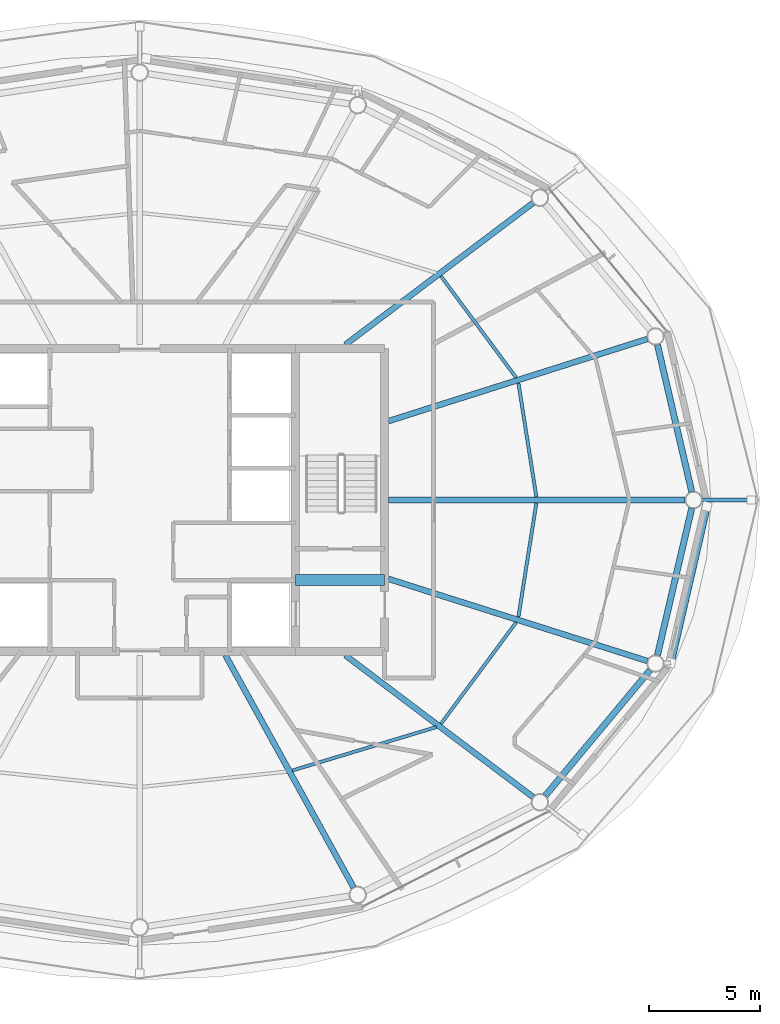
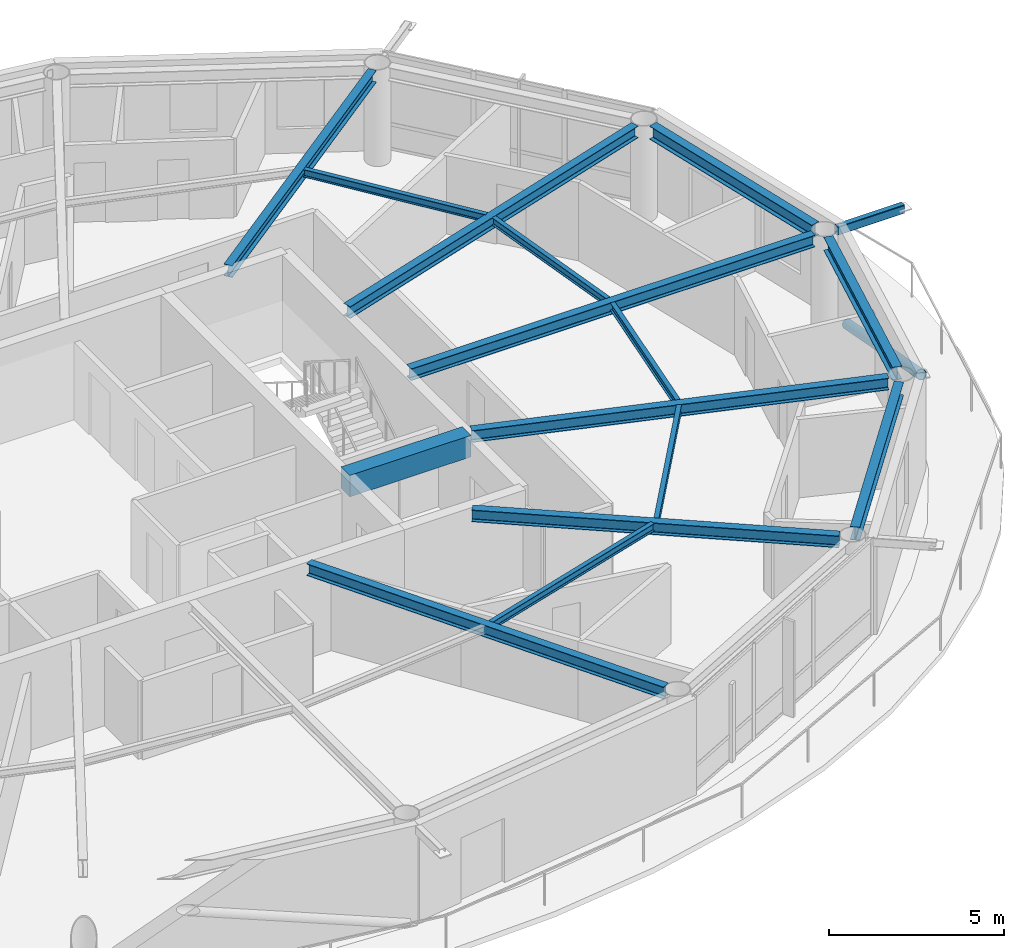
# One storey, part 6 of 22: 15 beams, 2 members.
"""IFC4 building model written with IfcOpenShell, lengths in metres."""

from ifc_helpers import new_model, si_unit, direction, frame, origin, origin_2d, place, context, subcontext, project, spatial, rectangle, hollow_rectangle, hollow_circle, i_section, extrude, material, material_profile, profile_set, type_object, element, save


model = new_model("IFC4")

# Units and contexts
model_context = context("Model", 3, precision=1e-05, world=origin(), true_north=direction((0.0, 1.0)))
body_context = subcontext(model_context, "Body", "Model", "MODEL_VIEW")
ifc_project = project(units=[si_unit("LENGTHUNIT", "METRE"), si_unit("AREAUNIT", "SQUARE_METRE"), si_unit("VOLUMEUNIT", "CUBIC_METRE"), si_unit("PLANEANGLEUNIT", "RADIAN"), si_unit("MASSUNIT", "GRAM", prefix="KILO")], contexts=[model_context])

# Site, building, storey
site_placement = place(None, origin())
site = spatial("IfcSite", under=ifc_project, at=site_placement, CompositionType="ELEMENT")
building_placement = place(site_placement, origin())
building = spatial("IfcBuilding", under=site, at=building_placement, Name="Sarneth Arch Tower", CompositionType="ELEMENT")
storey_placement = place(building_placement, frame((0.0, 0.0, 283.800048828125)))
storey = spatial("IfcBuildingStorey", under=building, at=storey_placement, Name="L73", CompositionType="ELEMENT", Elevation=283.800048828125)

# Beams
ifc_material_1 = material(Name="Steel S355", Category="steel")
ifc_material_profile_1 = material_profile(ifc_material_1, i_section(OverallWidth=0.14794921875, OverallDepth=0.26611328125, WebThickness=0.007568359375, FlangeThickness=0.012939453125, FilletRadius=0.012939453125, at=origin_2d()), Name="W250x44.8")
ifc_profile_set_1 = profile_set([ifc_material_profile_1], Name="Steel S355")
beam_type_1 = type_object("IfcBeamType", Name="BM-JOIST-250", PredefinedType="JOIST", material=ifc_profile_set_1)
beam_1_placement = place(storey_placement, frame((65.818359375, 42.12841796875, 3.237060546875), z_axis=(-0.155520890899, 0.987832603478, 0.0), x_axis=(-0.987832603478, -0.155520890899, 0.0)))
element("IfcBeam", 1, at=beam_1_placement, inside=storey, type_object=beam_type_1, Name="L73 Secondary floor joist 01", PredefinedType="JOIST", context=body_context, shape_type="SweptSolid", body=[
    extrude(i_section(OverallWidth=0.14794921875, OverallDepth=0.26611328125, WebThickness=0.007568359375, FlangeThickness=0.012939453125, FilletRadius=0.012939453125, at=origin_2d()), origin(), (0.0, 0.0, 1.0), 5.194580078125),
])
beam_2_placement = place(storey_placement, frame((64.912841796875, 47.49267578125, 3.237060546875), z_axis=(-0.595431044136, 0.803406417499, 0.0), x_axis=(-0.803406417499, -0.595431044136, 0.0)))
element("IfcBeam", 2, at=beam_2_placement, inside=storey, type_object=beam_type_1, Name="L73 Secondary floor joist 02", PredefinedType="JOIST", context=body_context, shape_type="SweptSolid", body=[
    extrude(i_section(OverallWidth=0.14794921875, OverallDepth=0.26611328125, WebThickness=0.007568359375, FlangeThickness=0.012939453125, FilletRadius=0.012939453125, at=origin_2d()), origin(), (0.0, 0.0, 1.0), 5.680419921875),
])
beam_3_placement = place(storey_placement, frame((54.852783203125, 29.84765625, 3.237060546875), z_axis=(0.957373106971, 0.288854174367, 0.0), x_axis=(-0.288854174367, 0.957373106971, 0.0)))
element("IfcBeam", 3, at=beam_3_placement, inside=storey, type_object=beam_type_1, Name="L73 Secondary floor joist 14", PredefinedType="JOIST", context=body_context, shape_type="SweptSolid", body=[
    extrude(i_section(OverallWidth=0.14794921875, OverallDepth=0.26611328125, WebThickness=0.007568359375, FlangeThickness=0.012939453125, FilletRadius=0.012939453125, at=origin_2d()), origin(), (0.0, 0.0, 1.0), 6.76416015625),
])
beam_4_placement = place(storey_placement, frame((61.530517578125, 31.943603515625, 3.237060546875), z_axis=(0.595431044136, 0.803406417499, 0.0), x_axis=(-0.803406417499, 0.595431044136, 0.0)))
element("IfcBeam", 4, at=beam_4_placement, inside=storey, type_object=beam_type_1, Name="L73 Secondary floor joist 15", PredefinedType="JOIST", context=body_context, shape_type="SweptSolid", body=[
    extrude(i_section(OverallWidth=0.14794921875, OverallDepth=0.26611328125, WebThickness=0.007568359375, FlangeThickness=0.012939453125, FilletRadius=0.012939453125, at=origin_2d()), origin(), (0.0, 0.0, 1.0), 5.680419921875),
])
beam_5_placement = place(storey_placement, frame((65.010498046875, 36.740234375, 3.237060546875), z_axis=(0.155520890899, 0.987832603478, 0.0), x_axis=(-0.987832603478, 0.155520890899, 0.0)))
element("IfcBeam", 5, at=beam_5_placement, inside=storey, type_object=beam_type_1, Name="L73 Secondary floor joist 16", PredefinedType="JOIST", context=body_context, shape_type="SweptSolid", body=[
    extrude(i_section(OverallWidth=0.14794921875, OverallDepth=0.26611328125, WebThickness=0.007568359375, FlangeThickness=0.012939453125, FilletRadius=0.012939453125, at=origin_2d()), origin(), (0.0, 0.0, 1.0), 5.194580078125),
])
ifc_material_2 = material(Name="Concrete C50/60", Category="concrete")
ifc_material_profile_2 = material_profile(ifc_material_2, rectangle(XDim=0.5, YDim=0.75, at=origin_2d()), Name="RC-500x750")
ifc_profile_set_2 = profile_set([ifc_material_profile_2], Name="Concrete C50/60")
beam_type_2 = type_object("IfcBeamType", Name="BM-LINTEL-RC", PredefinedType="LINTEL", material=ifc_profile_set_2)
beam_6_placement = place(storey_placement, frame((55.0, 38.39990234375, 2.994873046875), z_axis=(1.0, 0.0, 0.0), x_axis=(0.0, 1.0, 0.0)))
element("IfcBeam", 6, at=beam_6_placement, inside=storey, type_object=beam_type_2, Name="L73 Core coupling lintel E", PredefinedType="LINTEL", context=body_context, shape_type="SweptSolid", body=[
    extrude(rectangle(XDim=0.5, YDim=0.75, at=origin_2d()), origin(), (0.0, 0.0, 1.0), 4.0),
])
ifc_material_3 = material(Name="Steel S355", Category="steel")
ifc_material_profile_3 = material_profile(ifc_material_3, i_section(OverallWidth=0.260009765625, OverallDepth=0.4150390625, WebThickness=0.010009765625, FlangeThickness=0.016845703125, FilletRadius=0.01611328125, at=origin_2d()), Name="W410x100")
ifc_profile_set_3 = profile_set([ifc_material_profile_3], Name="Steel S355")
beam_type_3 = type_object("IfcBeamType", Name="BM-RAD-410A", PredefinedType="BEAM", material=ifc_profile_set_3)
beam_7_placement = place(storey_placement, frame((59.175048828125, 42.0, 3.162353515625), z_axis=(1.0, 0.0, 0.0), x_axis=(0.0, 1.0, 0.0)))
element("IfcBeam", 7, at=beam_7_placement, inside=storey, type_object=beam_type_3, Name="L73 Radial floor girder 01", PredefinedType="BEAM", context=body_context, shape_type="SweptSolid", body=[
    extrude(i_section(OverallWidth=0.260009765625, OverallDepth=0.4150390625, WebThickness=0.010009765625, FlangeThickness=0.016845703125, FilletRadius=0.01611328125, at=origin_2d()), origin(), (0.0, 0.0, 1.0), 13.3271484375),
])
beam_8_placement = place(storey_placement, frame((59.175048828125, 45.5439453125, 3.162353515625), z_axis=(0.953213623044, 0.302297517096, 0.0), x_axis=(-0.302297517096, 0.953213623044, 0.0)))
element("IfcBeam", 8, at=beam_8_placement, inside=storey, type_object=beam_type_3, Name="L73 Radial floor girder 02", PredefinedType="BEAM", context=body_context, shape_type="SweptSolid", body=[
    extrude(i_section(OverallWidth=0.260009765625, OverallDepth=0.4150390625, WebThickness=0.010009765625, FlangeThickness=0.016845703125, FilletRadius=0.01611328125, at=origin_2d()), origin(), (0.0, 0.0, 1.0), 12.201416015625),
])
beam_9_placement = place(storey_placement, frame((57.23486328125, 48.97509765625, 3.162353515625), z_axis=(0.797969745164, 0.602697507713, 0.0), x_axis=(-0.602697507713, 0.797969745164, 0.0)))
element("IfcBeam", 9, at=beam_9_placement, inside=storey, type_object=beam_type_3, Name="L73 Radial floor girder 03", PredefinedType="BEAM", context=body_context, shape_type="SweptSolid", body=[
    extrude(i_section(OverallWidth=0.260009765625, OverallDepth=0.4150390625, WebThickness=0.010009765625, FlangeThickness=0.016845703125, FilletRadius=0.01611328125, at=origin_2d()), origin(), (0.0, 0.0, 1.0), 10.572265625),
])
beam_10_placement = place(storey_placement, frame((51.849853515625, 35.02490234375, 3.162353515625), z_axis=(0.483231193732, -0.875492783182, 0.0), x_axis=(0.875492783182, 0.483231193732, 0.0)))
element("IfcBeam", 10, at=beam_10_placement, inside=storey, type_object=beam_type_3, Name="L73 Radial floor girder 14", PredefinedType="BEAM", context=body_context, shape_type="SweptSolid", body=[
    extrude(i_section(OverallWidth=0.260009765625, OverallDepth=0.4150390625, WebThickness=0.010009765625, FlangeThickness=0.016845703125, FilletRadius=0.01611328125, at=origin_2d()), origin(), (0.0, 0.0, 1.0), 11.913330078125),
])
beam_11_placement = place(storey_placement, frame((57.23486328125, 35.02490234375, 3.162353515625), z_axis=(0.797969745164, -0.602697507713, 0.0), x_axis=(0.602697507713, 0.797969745164, 0.0)))
element("IfcBeam", 11, at=beam_11_placement, inside=storey, type_object=beam_type_3, Name="L73 Radial floor girder 15", PredefinedType="BEAM", context=body_context, shape_type="SweptSolid", body=[
    extrude(i_section(OverallWidth=0.260009765625, OverallDepth=0.4150390625, WebThickness=0.010009765625, FlangeThickness=0.016845703125, FilletRadius=0.01611328125, at=origin_2d()), origin(), (0.0, 0.0, 1.0), 10.572265625),
])
beam_12_placement = place(storey_placement, frame((59.175048828125, 38.4560546875, 3.162353515625), z_axis=(0.953213623044, -0.302297517096, 0.0), x_axis=(0.302297517096, 0.953213623044, 0.0)))
element("IfcBeam", 12, at=beam_12_placement, inside=storey, type_object=beam_type_3, Name="L73 Radial floor girder 16", PredefinedType="BEAM", context=body_context, shape_type="SweptSolid", body=[
    extrude(i_section(OverallWidth=0.260009765625, OverallDepth=0.4150390625, WebThickness=0.010009765625, FlangeThickness=0.016845703125, FilletRadius=0.01611328125, at=origin_2d()), origin(), (0.0, 0.0, 1.0), 12.201416015625),
])
ifc_material_4 = material(Name="Steel S355", Category="steel")
ifc_material_profile_4 = material_profile(ifc_material_4, i_section(OverallWidth=0.280029296875, OverallDepth=0.462890625, WebThickness=0.0107421875, FlangeThickness=0.017333984375, FilletRadius=0.01806640625, at=origin_2d()), Name="W460x113")
ifc_profile_set_4 = profile_set([ifc_material_profile_4], Name="Steel S355")
beam_type_4 = type_object("IfcBeamType", Name="BM-RAD-460A", PredefinedType="BEAM", material=ifc_profile_set_4)
beam_13_placement = place(storey_placement, frame((72.796630859375, 42.37109375, 3.138427734375), z_axis=(-0.227227339933, 0.973841740729, 0.0), x_axis=(-0.973841740729, -0.227227339933, 0.0)))
element("IfcBeam", 13, at=beam_13_placement, inside=storey, type_object=beam_type_4, Name="L73 Perimeter spandrel beam 01", PredefinedType="BEAM", context=body_context, shape_type="SweptSolid", body=[
    extrude(i_section(OverallWidth=0.280029296875, OverallDepth=0.462890625, WebThickness=0.0107421875, FlangeThickness=0.017333984375, FilletRadius=0.01806640625, at=origin_2d()), origin(), (0.0, 0.0, 1.0), 6.782958984375),
])
beam_14_placement = place(storey_placement, frame((66.21923828125, 28.716064453125, 3.138427734375), z_axis=(0.640377192996, 0.768060577487, 0.0), x_axis=(-0.768060577487, 0.640377192996, 0.0)))
element("IfcBeam", 14, at=beam_14_placement, inside=storey, type_object=beam_type_4, Name="L73 Perimeter spandrel beam 15", PredefinedType="BEAM", context=body_context, shape_type="SweptSolid", body=[
    extrude(i_section(OverallWidth=0.280029296875, OverallDepth=0.462890625, WebThickness=0.0107421875, FlangeThickness=0.017333984375, FilletRadius=0.01806640625, at=origin_2d()), origin(), (0.0, 0.0, 1.0), 7.34814453125),
])
beam_15_placement = place(storey_placement, frame((71.25537109375, 35.0234375, 3.138427734375), z_axis=(0.227227339933, 0.973841740729, 0.0), x_axis=(-0.973841740729, 0.227227339933, 0.0)))
element("IfcBeam", 15, at=beam_15_placement, inside=storey, type_object=beam_type_4, Name="L73 Perimeter spandrel beam 16", PredefinedType="BEAM", context=body_context, shape_type="SweptSolid", body=[
    extrude(i_section(OverallWidth=0.280029296875, OverallDepth=0.462890625, WebThickness=0.0107421875, FlangeThickness=0.017333984375, FilletRadius=0.01806640625, at=origin_2d()), origin(), (0.0, 0.0, 1.0), 6.782958984375),
])

# Members
ifc_material_5 = material(Name="Steel S355", Category="steel")
ifc_material_profile_5 = material_profile(ifc_material_5, hollow_rectangle(XDim=0.199951171875, YDim=0.300048828125, WallThickness=0.012451171875, InnerFilletRadius=0.018798828125, OuterFilletRadius=0.03125, at=origin_2d()), Name="RHS300x200x12.5")
ifc_profile_set_5 = profile_set([ifc_material_profile_5], Name="Steel S355")
member_type_1 = type_object("IfcMemberType", Name="MEM-CANT-STRUT", PredefinedType="STRUT", material=ifc_profile_set_5)
member_1_placement = place(storey_placement, frame((73.26416015625, 42.0, 3.2099609375), z_axis=(1.0, 0.0, 0.0), x_axis=(0.0, 1.0, 0.0)))
element("IfcMember", 16, at=member_1_placement, inside=storey, type_object=member_type_1, Name="L73 Balcony cantilever bracket 01", PredefinedType="STRUT", context=body_context, shape_type="SweptSolid", body=[
    extrude(hollow_rectangle(XDim=0.199951171875, YDim=0.300048828125, WallThickness=0.012451171875, InnerFilletRadius=0.018798828125, OuterFilletRadius=0.03125, at=origin_2d()), origin(), (0.0, 0.0, 1.0), 2.20556640625),
])
ifc_material_6 = material(Name="Steel S355", Category="steel")
ifc_material_profile_6 = material_profile(ifc_material_6, hollow_circle(Radius=0.162109375, WallThickness=0.012451171875, at=origin_2d()), Name="CHS324x12.5")
ifc_profile_set_6 = profile_set([ifc_material_profile_6], Name="Steel S355")
member_type_2 = type_object("IfcMemberType", Name="MEM-DIAG-BR3", PredefinedType="BRACE", material=ifc_profile_set_6)
member_2_placement = place(storey_placement, frame((73.4765625, 41.707763671875, 0.02001953125), z_axis=(-0.207345906073, -0.896276435764, 0.392041102347), x_axis=(0.974268900284, -0.225388797281, 0.0)))
element("IfcMember", 17, at=member_2_placement, inside=storey, type_object=member_type_2, Name="L73 Perimeter frame diagonal 16", PredefinedType="BRACE", context=body_context, shape_type="SweptSolid", body=[
    extrude(hollow_circle(Radius=0.162109375, WallThickness=0.012451171875, at=origin_2d()), origin(), (0.0, 0.0, 1.0), 7.8359375),
])

save(model, "model.ifc")
